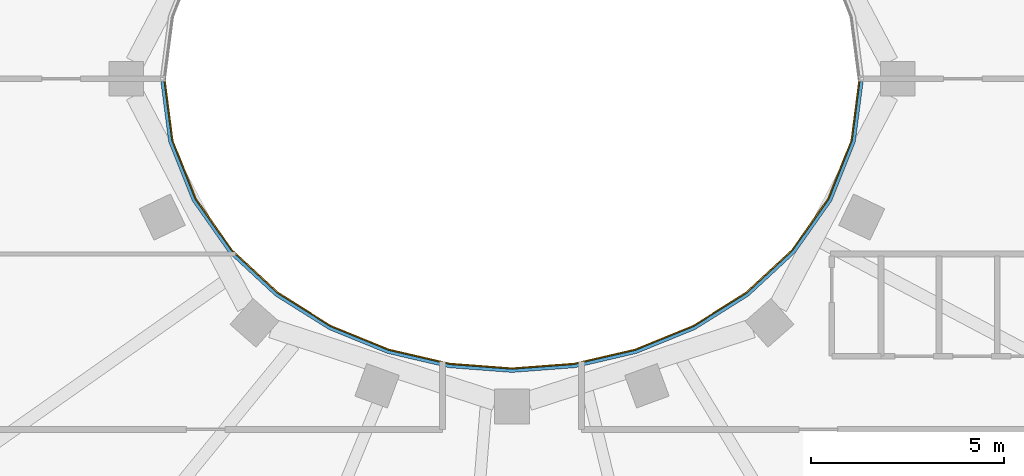
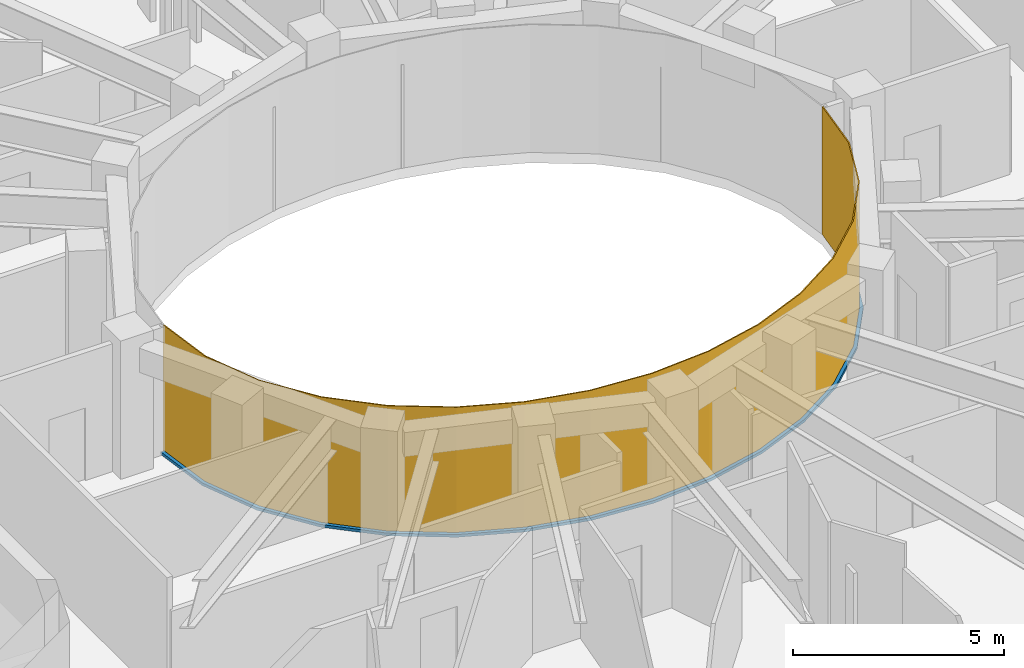
# One storey, part 9 of 16: 1 curtain wall, 1 member.
"""IFC4 building model written with IfcOpenShell, lengths in metres."""

from ifc_helpers import new_model, si_unit, direction, frame, origin, place, context, subcontext, project, spatial, polyline, outline, extrude, material, layer, layer_set, type_object, element, aggregate, save


model = new_model("IFC4")

# Units and contexts
model_context = context("Model", 3, precision=1e-05, world=origin(), true_north=direction((0.0, 1.0)))
body_context = subcontext(model_context, "Body", "Model", "MODEL_VIEW")
ifc_project = project(units=[si_unit("LENGTHUNIT", "METRE"), si_unit("AREAUNIT", "SQUARE_METRE"), si_unit("VOLUMEUNIT", "CUBIC_METRE"), si_unit("PLANEANGLEUNIT", "RADIAN"), si_unit("MASSUNIT", "GRAM", prefix="KILO")], contexts=[model_context])

# Member
ifc_material_1 = material(Name="Steel S355 fire-resisting frame", Category="steel")
member_type = type_object("IfcMemberType", Name="ENV-TRANSOM-W", PredefinedType="USERDEFINED", material=ifc_material_1)
site_placement = place(None, origin())
building_placement = place(site_placement, origin())
storey_placement = place(building_placement, frame((0.0, 0.0, 311.0)))
member_placement = place(storey_placement, origin())
member = element("IfcMember", 1, at=member_placement, type_object=member_type, Name="Transom W well 17-01", ObjectType="TRANSOM", PredefinedType="USERDEFINED", context=body_context, shape_type="SweptSolid", body=[
    extrude(outline(polyline([(-9.119384765625, -0.02783203125), (-8.910400390625, -1.63623046875), (-8.29833984375, -3.167236328125), (-7.35107421875, -4.5146484375), (-6.1455078125, -5.6337890625), (-4.75341796875, -6.50634765625), (-3.233642578125, -7.127685546875), (-1.635498046875, -7.498779296875), (0.0, -7.622314453125), (1.635498046875, -7.498779296875), (3.233642578125, -7.127685546875), (4.75341796875, -6.50634765625), (6.1455078125, -5.6337890625), (7.35107421875, -4.5146484375), (8.29833984375, -3.167236328125), (8.910400390625, -1.63623046875), (9.119384765625, -0.02783203125), (9.02880859375, -0.02783203125), (8.822509765625, -1.61328125), (8.21875, -3.124267578125), (7.282958984375, -4.455078125), (6.090576171875, -5.56201171875), (4.712158203125, -6.426025390625), (3.206298828125, -7.04150390625), (1.621826171875, -7.40966796875), (0.0, -7.531982421875), (-1.621826171875, -7.40966796875), (-3.206298828125, -7.04150390625), (-4.712158203125, -6.426025390625), (-6.090576171875, -5.56201171875), (-7.282958984375, -4.455078125), (-8.21875, -3.124267578125), (-8.822509765625, -1.61328125), (-9.02880859375, -0.02783203125), (-9.119384765625, -0.02783203125)])), origin(), (0.0, 0.0, 1.0), 0.080078125),
])

# Site, building, storey
site = spatial("IfcSite", under=ifc_project, at=site_placement, CompositionType="ELEMENT")
building = spatial("IfcBuilding", under=site, at=building_placement, Name="Noorbagh Ring Tower", CompositionType="ELEMENT")
storey = spatial("IfcBuildingStorey", under=building, at=storey_placement, Name="L67", CompositionType="ELEMENT", Elevation=311.0)

# Curtain wall
ifc_material_2 = material(Name="Glass fire-resisting E60 laminated", Category="glass")
ifc_layer = layer(ifc_material_2, 0.031982421875)
ifc_layer_set = layer_set([ifc_layer], Name="Glass fire-resisting E60 laminated")
curtain_wall_type = type_object("IfcCurtainWallType", Name="ENV-CW-W", PredefinedType="NOTDEFINED", material=ifc_layer_set)
curtain_wall_placement = place(storey_placement, origin())
curtain_wall = element("IfcCurtainWall", 2, at=curtain_wall_placement, inside=storey, type_object=curtain_wall_type, Name="Curtain wall W W17", PredefinedType="NOTDEFINED", context=body_context, shape_type="SweptSolid", body=[
    extrude(outline(polyline([(-9.0322265625, 0.0), (-8.822509765625, -1.61328125), (-8.21875, -3.124267578125), (-7.282958984375, -4.455078125), (-6.090576171875, -5.56201171875), (-4.712158203125, -6.426025390625), (-3.206298828125, -7.04150390625), (-1.621826171875, -7.40966796875), (0.0, -7.531982421875), (1.621826171875, -7.40966796875), (3.206298828125, -7.04150390625), (4.712158203125, -6.426025390625), (6.090576171875, -5.56201171875), (7.282958984375, -4.455078125), (8.21875, -3.124267578125), (8.822509765625, -1.61328125), (9.0322265625, 0.0), (9.0, 0.0), (8.79150390625, -1.605224609375), (8.1904296875, -3.10888671875), (7.2587890625, -4.43408203125), (6.071044921875, -5.53662109375), (4.697509765625, -6.3974609375), (3.196533203125, -7.010986328125), (1.6171875, -7.3779296875), (0.0, -7.5), (-1.6171875, -7.3779296875), (-3.196533203125, -7.010986328125), (-4.697509765625, -6.3974609375), (-6.071044921875, -5.53662109375), (-7.2587890625, -4.43408203125), (-8.1904296875, -3.10888671875), (-8.79150390625, -1.605224609375), (-9.0, 0.0), (-9.0322265625, 0.0)])), origin(), (0.0, 0.0, 1.0), 3.699951171875),
])

aggregate(curtain_wall, [member])

save(model, "model.ifc")
